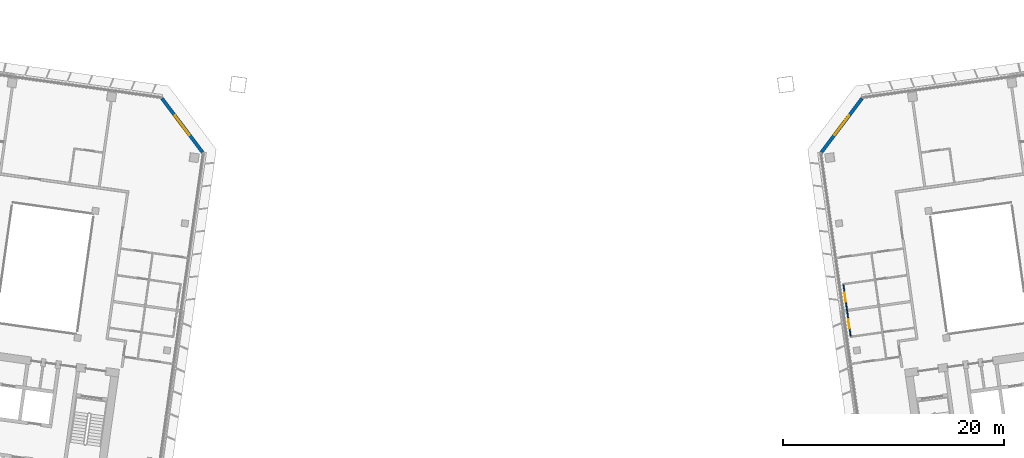
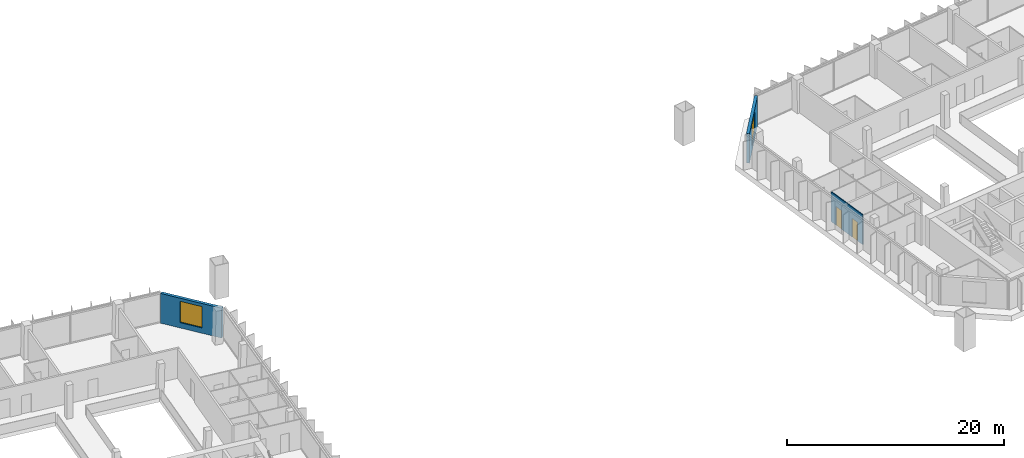
# One storey, part 20 of 28: 3 walls, 2 doors, 2 windows, 4 openings.
"""IFC4 building model written with IfcOpenShell, lengths in metres."""

import ifcopenshell
import ifcopenshell.guid

model = None  # the IFC model being written
_history = None  # IfcOwnerHistory: only IFC2X3 demands one
_inside = {}  # id of a spatial element -> (the spatial element, [elements in it])
_under = {}  # id of a project, library or spatial element -> (it, [spatial elements below it])
_declared = {}  # id of a project -> (the project, [libraries it declares])
_typed = {}  # id of a type object -> (the type object, [elements of that type])
_made_of = {}  # id of a material, layer set ... -> (it, [elements and type objects made of it])


def new_model(schema):
    """Start an empty IFC model of exactly this schema.

    Asked for "IFC4X3", IfcOpenShell would pick the latest addendum, in which some entities
    have other attributes; the version numbers below select the first issue.
    IFC2X3 requires an IfcOwnerHistory on every rooted entity: one is made here for all.
    """
    global model, _history
    if schema == "IFC4X3":
        model = ifcopenshell.file(schema_version=(4, 3, 0, 0))
    else:
        model = ifcopenshell.file(schema=schema)
    _inside.clear()
    _under.clear()
    _declared.clear()
    _typed.clear()
    _made_of.clear()
    _history = None
    if model.schema == "IFC2X3":
        org = make("IfcOrganization", Name="unknown")
        user = make(
            "IfcPersonAndOrganization",
            ThePerson=make("IfcPerson", FamilyName="unknown"),
            TheOrganization=org,
        )
        app = make(
            "IfcApplication",
            ApplicationDeveloper=org,
            Version="unknown",
            ApplicationFullName="unknown",
            ApplicationIdentifier="unknown",
        )
        _history = make(
            "IfcOwnerHistory",
            OwningUser=user,
            OwningApplication=app,
            ChangeAction="ADDED",
            CreationDate=0,
        )
    return model


def make(cls, **values):
    """One entity of the class cls with the attributes given. An attribute that is None is left unset."""
    return model.create_entity(
        cls, **{name: value for name, value in values.items() if value is not None}
    )


def rooted(cls, **values):
    """An entity with a GlobalId (a new one), such as an element, a storey or a relation."""
    return make(cls, GlobalId=ifcopenshell.guid.new(), OwnerHistory=_history, **values)


def si_unit(unit_type, name, prefix=None):
    """IfcSIUnit, for example si_unit("LENGTHUNIT", "METRE", prefix="MILLI")."""
    return make("IfcSIUnit", UnitType=unit_type, Prefix=prefix, Name=name)


def assignment(units):
    """IfcUnitAssignment: the units of a project."""
    return None if units is None else make("IfcUnitAssignment", Units=units)


def point(xyz):
    """IfcCartesianPoint."""
    return None if xyz is None else make("IfcCartesianPoint", Coordinates=xyz)


def direction(xyz):
    """IfcDirection."""
    return None if xyz is None else make("IfcDirection", DirectionRatios=xyz)


def frame(location, z_axis=None, x_axis=None):
    """IfcAxis2Placement3D, a coordinate frame: its origin and axes. An axis left out is left unset."""
    return make(
        "IfcAxis2Placement3D",
        Location=point(location),
        Axis=direction(z_axis),
        RefDirection=direction(x_axis),
    )


def frame_2d(location, x_axis=None):
    """IfcAxis2Placement2D, a coordinate frame in the plane: its origin and x axis."""
    return make(
        "IfcAxis2Placement2D", Location=point(location), RefDirection=direction(x_axis)
    )


def origin():
    """The frame at (0, 0, 0) with its axes left unset."""
    return frame((0.0, 0.0, 0.0))


def place(relative_to, where):
    """IfcLocalPlacement: puts the frame where relative to a parent placement (None: the world)."""
    return make(
        "IfcLocalPlacement", PlacementRelTo=relative_to, RelativePlacement=where
    )


def context(
    kind, dimensions, precision=None, world=None, true_north=None, identifier=None
):
    """IfcGeometricRepresentationContext, for example the 3D "Model" context."""
    return make(
        "IfcGeometricRepresentationContext",
        ContextIdentifier=identifier,
        ContextType=kind,
        CoordinateSpaceDimension=dimensions,
        Precision=precision,
        WorldCoordinateSystem=world,
        TrueNorth=true_north,
    )


def subcontext(parent, identifier, kind, view, scale=None):
    """IfcGeometricRepresentationSubContext, for example "Body" below "Model"."""
    return make(
        "IfcGeometricRepresentationSubContext",
        ContextIdentifier=identifier,
        ContextType=kind,
        ParentContext=parent,
        TargetScale=scale,
        TargetView=view,
    )


def project(units=None, contexts=None):
    """IfcProject with its units and contexts."""
    return rooted(
        "IfcProject",
        Name="project",
        RepresentationContexts=contexts,
        UnitsInContext=assignment(units),
    )


def spatial(cls, under=None, at=None, **own):
    """A site, building, storey or space (cls), placed at a placement, below another one or the project."""
    s = rooted(cls, ObjectPlacement=at, **own)
    if under is not None:
        _under.setdefault(under.id(), (under, []))[1].append(s)
    return s


def profile(cls, at=None, kind="AREA", **sizes):
    """A parametric profile (cls). Its sizes go by their IFC names, for example OverallWidth=200.0."""
    return make(cls, ProfileType=kind, Position=at, **sizes)


def rectangle(**sizes):
    """IfcRectangleProfileDef."""
    return profile("IfcRectangleProfileDef", **sizes)


def extrude(swept, where, along, depth):
    """IfcExtrudedAreaSolid: the profile swept, set in the frame where, extruded along a direction by depth."""
    return make(
        "IfcExtrudedAreaSolid",
        SweptArea=swept,
        Position=where,
        ExtrudedDirection=direction(along),
        Depth=depth,
    )


def shape(context_of_items, identifier, shape_type, items):
    """IfcShapeRepresentation: the items that make up one representation, for example the "Body"."""
    return make(
        "IfcShapeRepresentation",
        ContextOfItems=context_of_items,
        RepresentationIdentifier=identifier,
        RepresentationType=shape_type,
        Items=items,
    )


def material(Name=None, Category=None):
    """IfcMaterial."""
    return make("IfcMaterial", Name=Name, Category=Category)


def layer(
    of_material, thickness, ventilated=None, Name=None, Category=None, Priority=None
):
    """IfcMaterialLayer: one layer of a wall or slab, of a material (None: an air gap)."""
    return make(
        "IfcMaterialLayer",
        Material=of_material,
        LayerThickness=thickness,
        IsVentilated=ventilated,
        Name=Name,
        Category=Category,
        Priority=Priority,
    )


def layer_set(layers, Name=None):
    """IfcMaterialLayerSet."""
    return make("IfcMaterialLayerSet", MaterialLayers=layers, LayerSetName=Name)


def made_of(thing, what):
    """Note that an element or type object is made of a material, layer set ...; save() writes the relation."""
    if what is not None:
        _made_of.setdefault(what.id(), (what, []))[1].append(thing)
    return thing


def type_object(cls, material=None, **own):
    """A type object (cls), such as IfcWallType, which elements share."""
    return made_of(rooted(cls, **own), material)


def element(
    cls,
    number,
    at=None,
    inside=None,
    cuts=None,
    type_object=None,
    material=None,
    context=None,
    identifier="Body",
    shape_type=None,
    held_by="IfcProductDefinitionShape",
    body=None,
    shapes=None,
    **own,
):
    """One element of the class cls, such as IfcWall. Its Tag is "e" and its number.

    at: its placement. inside: the storey or other place that contains it. cuts: it is an
    opening in that element (IfcRelVoidsElement). A single representation is given by context,
    identifier, shape_type and body (its items); several are given by shapes. held_by: the class
    of the entity that holds the representations. save() writes the other relations.
    """
    e = rooted(cls, Tag="e%d" % number, ObjectPlacement=at, **own)
    if body is not None:
        shapes = [shape(context, identifier, shape_type, body)]
    if shapes is not None:
        e.Representation = make(held_by, Representations=shapes)
    if inside is not None:
        _inside.setdefault(inside.id(), (inside, []))[1].append(e)
    if cuts is not None:
        rooted(
            "IfcRelVoidsElement", RelatingBuildingElement=cuts, RelatedOpeningElement=e
        )
    if type_object is not None:
        _typed.setdefault(type_object.id(), (type_object, []))[1].append(e)
    return made_of(e, material)


def fill(opening, filler):
    """IfcRelFillsElement: the door or window that sits in an opening."""
    return rooted(
        "IfcRelFillsElement",
        RelatingOpeningElement=opening,
        RelatedBuildingElement=filler,
    )


def aggregate(whole, parts):
    """IfcRelAggregates: a whole, such as a stair, and the parts it consists of."""
    return rooted("IfcRelAggregates", RelatingObject=whole, RelatedObjects=parts)


def save(model, path):
    """Write the relations noted so far, then the file.

    IfcRelAggregates (storeys below a building ...), IfcRelContainedInSpatialStructure (elements
    in a storey), IfcRelDefinesByType, IfcRelAssociatesMaterial and IfcRelDeclares: one each for
    every whole, place, type object, material and project.
    """
    for whole, parts in _under.values():
        aggregate(whole, parts)
    for where, things in _inside.values():
        rooted(
            "IfcRelContainedInSpatialStructure",
            RelatedElements=things,
            RelatingStructure=where,
        )
    for kind, things in _typed.values():
        rooted("IfcRelDefinesByType", RelatedObjects=things, RelatingType=kind)
    for what, things in _made_of.values():
        rooted("IfcRelAssociatesMaterial", RelatedObjects=things, RelatingMaterial=what)
    for by, libraries in _declared.values():
        rooted("IfcRelDeclares", RelatingContext=by, RelatedDefinitions=libraries)
    model.write(path)


model = new_model("IFC4")

# Units and contexts
model_context = context("Model", 3, precision=1e-05, world=origin(), true_north=direction((0.0, 1.0)))
body_context = subcontext(model_context, "Body", "Model", "MODEL_VIEW")
ifc_project = project(units=[si_unit("LENGTHUNIT", "METRE"), si_unit("AREAUNIT", "SQUARE_METRE"), si_unit("VOLUMEUNIT", "CUBIC_METRE"), si_unit("PLANEANGLEUNIT", "RADIAN"), si_unit("MASSUNIT", "GRAM", prefix="KILO")], contexts=[model_context])

# Site, building, storey
site_placement = place(None, origin())
site = spatial("IfcSite", under=ifc_project, at=site_placement, CompositionType="ELEMENT")
building_placement = place(site_placement, origin())
building = spatial("IfcBuilding", under=site, at=building_placement, Name="Mirante Cascada Hotel Towers", CompositionType="ELEMENT")
storey_placement = place(building_placement, frame((0.0, 0.0, 165.0)))
storey = spatial("IfcBuildingStorey", under=building, at=storey_placement, Name="L38", CompositionType="ELEMENT", Elevation=165.0)

# Wall, openings, doors
ifc_material_1 = material(Name="Plasterboard on metal studs")
ifc_layer_1 = layer(ifc_material_1, 0.1)
ifc_layer_set_1 = layer_set([ifc_layer_1], Name="Partition 100")
wall_type_1 = type_object("IfcWallType", Name="Partition 100", PredefinedType="PARTITIONING", material=ifc_layer_set_1)
wall_1_placement = place(storey_placement, frame((30.6228, -4.2856, 0.0), z_axis=(0.0, 0.0, 1.0), x_axis=(-0.13919, 0.9902657, 0.0)))
wall_1 = element("IfcWall", 1, at=wall_1_placement, inside=storey, type_object=wall_type_1, Name="Wall 2-L38-25", PredefinedType="PARTITIONING", context=body_context, shape_type="SweptSolid", body=[
    extrude(rectangle(XDim=4.7001, YDim=0.1, at=frame_2d((2.35, 0.0))), origin(), (0.0, 0.0, 1.0), 3.35),
])
opening_1_placement = place(wall_1_placement, frame((0.75, 0.0, 0.0)))
opening_1 = element("IfcOpeningElement", 2, at=opening_1_placement, cuts=wall_1, Name="Opening D2-L38-25", PredefinedType="OPENING", context=body_context, shape_type="SweptSolid", body=[
    extrude(rectangle(XDim=0.8, YDim=2.1, at=frame_2d((0.4, 1.05))), frame((0.0, 0.05, 0.0), z_axis=(0.0, -1.0, 0.0), x_axis=(1.0, 0.0, 0.0)), (0.0, 0.0, 1.0), 0.1),
])
opening_2_placement = place(wall_1_placement, frame((3.15, 0.0, 0.0)))
opening_2 = element("IfcOpeningElement", 3, at=opening_2_placement, cuts=wall_1, Name="Opening D2-L38-26", PredefinedType="OPENING", context=body_context, shape_type="SweptSolid", body=[
    extrude(rectangle(XDim=0.8, YDim=2.1, at=frame_2d((0.4, 1.05))), frame((0.0, 0.05, 0.0), z_axis=(0.0, -1.0, 0.0), x_axis=(1.0, 0.0, 0.0)), (0.0, 0.0, 1.0), 0.1),
])
ifc_material_2 = material(Name="Timber door leaf", Category="wood")
door_type = type_object("IfcDoorType", Name="Bathroom door DG4 800x2100", OperationType="SINGLE_SWING_LEFT", PredefinedType="DOOR", material=ifc_material_2)
door_1_placement = place(opening_1_placement, frame((0.8, 0.0, 0.0), z_axis=(0.0, 0.0, 1.0), x_axis=(-1.0, 0.0, 0.0)))
door_1 = element("IfcDoor", 4, at=door_1_placement, inside=storey, type_object=door_type, Name="Door D2-L38-25", OperationType="SINGLE_SWING_RIGHT", OverallHeight=2.1, OverallWidth=0.8, PredefinedType="DOOR", context=body_context, shape_type="SweptSolid", body=[
    extrude(rectangle(XDim=0.8, YDim=2.1, at=frame_2d((0.4, 1.05))), frame((0.0, 0.025, 0.0), z_axis=(0.0, -1.0, 0.0), x_axis=(1.0, 0.0, 0.0)), (0.0, 0.0, 1.0), 0.05),
])
fill(opening_1, door_1)
door_2_placement = place(opening_2_placement, frame((0.8, 0.0, 0.0), z_axis=(0.0, 0.0, 1.0), x_axis=(-1.0, 0.0, 0.0)))
door_2 = element("IfcDoor", 5, at=door_2_placement, inside=storey, type_object=door_type, Name="Door D2-L38-26", OperationType="SINGLE_SWING_RIGHT", OverallHeight=2.1, OverallWidth=0.8, PredefinedType="DOOR", context=body_context, shape_type="SweptSolid", body=[
    extrude(rectangle(XDim=0.8, YDim=2.1, at=frame_2d((0.4, 1.05))), frame((0.0, 0.025, 0.0), z_axis=(0.0, -1.0, 0.0), x_axis=(1.0, 0.0, 0.0)), (0.0, 0.0, 1.0), 0.05),
])
fill(opening_2, door_2)

# Wall, opening, window
ifc_material_3 = material(Name="Precast concrete C40/50", Category="concrete")
ifc_layer_2 = layer(ifc_material_3, 0.3)
ifc_layer_set_2 = layer_set([ifc_layer_2], Name="Precast concrete C40/50 cladding wall 300")
wall_type_2 = type_object("IfcWallType", Name="Precast concrete C40/50 cladding wall 300", PredefinedType="STANDARD", material=ifc_layer_set_2)
wall_2_placement = place(storey_placement, frame((-31.6561, 17.2237, 0.0), z_axis=(0.0, 0.0, 1.0), x_axis=(0.6018141, -0.7986362, 0.0)))
wall_2 = element("IfcWall", 6, at=wall_2_placement, inside=storey, type_object=wall_type_2, Name="Corner cladding wall T1 L38 front inner", PredefinedType="STANDARD", context=body_context, shape_type="SweptSolid", body=[
    extrude(rectangle(XDim=6.1157, YDim=0.3, at=frame_2d((3.0578, 0.0))), origin(), (0.0, 0.0, 1.0), 3.35),
])
opening_3_placement = place(wall_2_placement, frame((1.9578, 0.0, 0.6)))
opening_3 = element("IfcOpeningElement", 7, at=opening_3_placement, cuts=wall_2, Name="Opening W1-38-03", PredefinedType="OPENING", context=body_context, shape_type="SweptSolid", body=[
    extrude(rectangle(XDim=2.2, YDim=2.4, at=frame_2d((1.1, 1.2))), frame((0.0, 0.15, 0.0), z_axis=(0.0, -1.0, 0.0), x_axis=(1.0, 0.0, 0.0)), (0.0, 0.0, 1.0), 0.3),
])
ifc_material_4 = material(Name="Aluminium frame with clear double glazing", Category="aluminium")
window_type = type_object("IfcWindowType", Name="Corner suite window 2200x2400", PartitioningType="DOUBLE_PANEL_VERTICAL", PredefinedType="WINDOW", material=ifc_material_4)
window_1_placement = place(opening_3_placement, origin())
window_1 = element("IfcWindow", 8, at=window_1_placement, inside=storey, type_object=window_type, Name="Window W1-38-03", OverallHeight=2.4, OverallWidth=2.2, PartitioningType="SINGLE_PANEL", PredefinedType="WINDOW", context=body_context, shape_type="SweptSolid", body=[
    extrude(rectangle(XDim=2.2, YDim=2.4, at=frame_2d((1.1, 1.2))), frame((0.0, 0.03, 0.0), z_axis=(0.0, -1.0, 0.0), x_axis=(1.0, 0.0, 0.0)), (0.0, 0.0, 1.0), 0.06),
])
fill(opening_3, window_1)

wall_3_placement = place(storey_placement, frame((31.6561, 17.2237, 0.0), z_axis=(0.0, 0.0, 1.0), x_axis=(-0.6018141, -0.7986362, 0.0)))
wall_3 = element("IfcWall", 9, at=wall_3_placement, inside=storey, type_object=wall_type_2, Name="Corner cladding wall T2 L38 front inner", PredefinedType="STANDARD", context=body_context, shape_type="SweptSolid", body=[
    extrude(rectangle(XDim=6.1157, YDim=0.3, at=frame_2d((3.0578, 0.0))), origin(), (0.0, 0.0, 1.0), 3.35),
])
opening_4_placement = place(wall_3_placement, frame((1.9578, 0.0, 0.6)))
opening_4 = element("IfcOpeningElement", 10, at=opening_4_placement, cuts=wall_3, Name="Opening W2-38-03", PredefinedType="OPENING", context=body_context, shape_type="SweptSolid", body=[
    extrude(rectangle(XDim=2.2, YDim=2.4, at=frame_2d((1.1, 1.2))), frame((0.0, 0.15, 0.0), z_axis=(0.0, -1.0, 0.0), x_axis=(1.0, 0.0, 0.0)), (0.0, 0.0, 1.0), 0.3),
])
window_2_placement = place(opening_4_placement, origin())
window_2 = element("IfcWindow", 11, at=window_2_placement, inside=storey, type_object=window_type, Name="Window W2-38-03", OverallHeight=2.4, OverallWidth=2.2, PartitioningType="SINGLE_PANEL", PredefinedType="WINDOW", context=body_context, shape_type="SweptSolid", body=[
    extrude(rectangle(XDim=2.2, YDim=2.4, at=frame_2d((1.1, 1.2))), frame((0.0, 0.03, 0.0), z_axis=(0.0, -1.0, 0.0), x_axis=(1.0, 0.0, 0.0)), (0.0, 0.0, 1.0), 0.06),
])
fill(opening_4, window_2)

save(model, "model.ifc")
